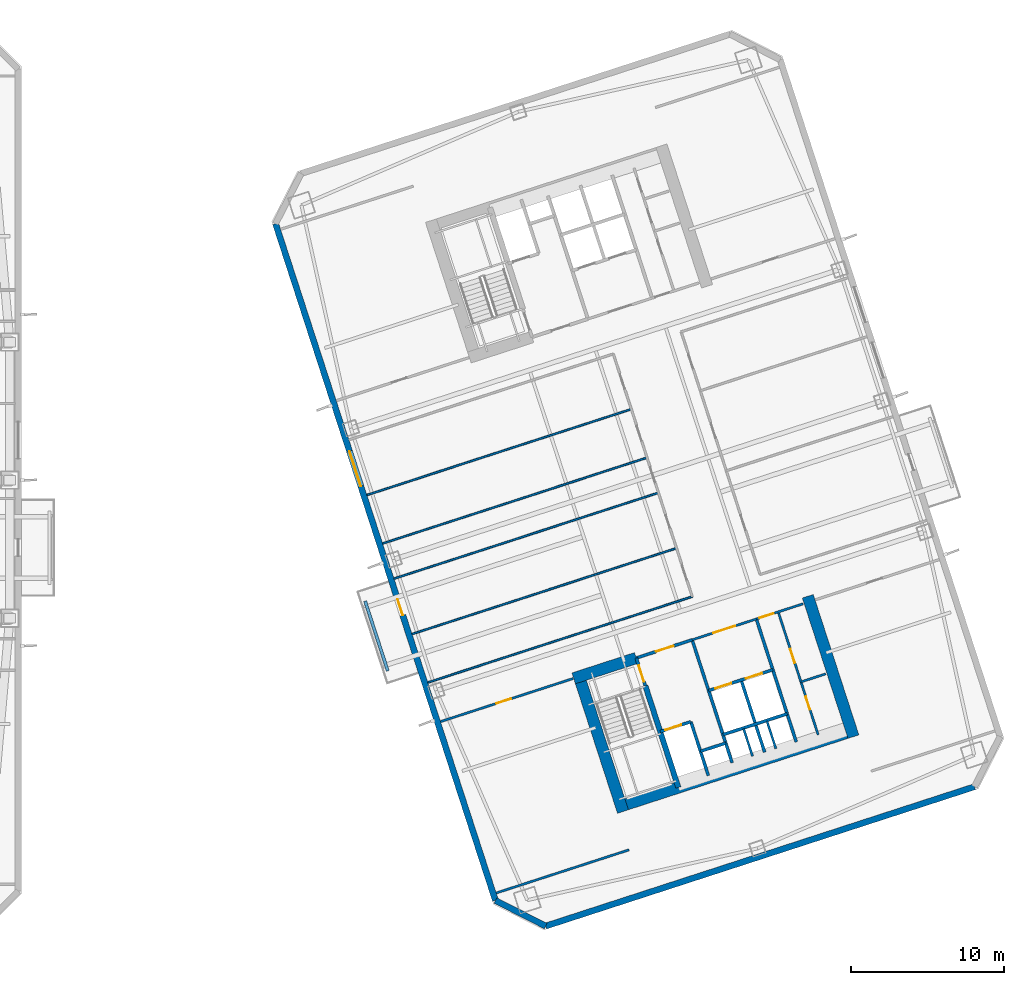
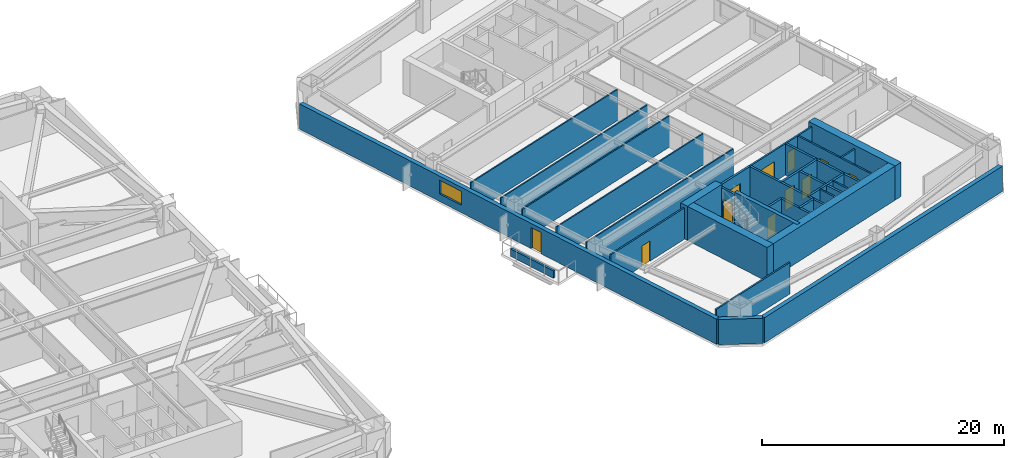
# One storey, part 9 of 19: 32 walls, 11 doors, 1 window, 12 openings.
"""IFC4 building model written with IfcOpenShell, lengths in metres."""

from ifc_helpers import new_model, si_unit, direction, frame, frame_2d, origin, place, context, subcontext, project, spatial, rectangle, extrude, material, layer, layer_set, type_object, element, fill, save


model = new_model("IFC4")

# Units and contexts
model_context = context("Model", 3, precision=1e-05, world=origin(), true_north=direction((0.0, 1.0)))
body_context = subcontext(model_context, "Body", "Model", "MODEL_VIEW")
ifc_project = project(units=[si_unit("LENGTHUNIT", "METRE"), si_unit("AREAUNIT", "SQUARE_METRE"), si_unit("VOLUMEUNIT", "CUBIC_METRE"), si_unit("PLANEANGLEUNIT", "RADIAN"), si_unit("MASSUNIT", "GRAM", prefix="KILO")], contexts=[model_context])

# Site, building, storey
site_placement = place(None, origin())
site = spatial("IfcSite", under=ifc_project, at=site_placement, CompositionType="ELEMENT")
building_placement = place(site_placement, origin())
building = spatial("IfcBuilding", under=site, at=building_placement, Name="Qiaolan Cultural Towers", CompositionType="ELEMENT")
storey_placement = place(building_placement, frame((0.0, 0.0, 88.550048828125)))
storey = spatial("IfcBuildingStorey", under=building, at=storey_placement, Name="L22", CompositionType="ELEMENT", Elevation=88.550048828125)

# Walls
ifc_material_1 = material(Name="Concrete C50", Category="concrete")
ifc_layer_1 = layer(ifc_material_1, 0.35009765625)
ifc_layer_set_1 = layer_set([ifc_layer_1], Name="Concrete C50")
wall_type_1 = type_object("IfcWallType", Name="WL-CORE-350", PredefinedType="SHEAR", material=ifc_layer_set_1)
wall_1_placement = place(storey_placement, frame((90.486328125, 20.59423828125, 0.0), z_axis=(0.0, 0.0, 1.0), x_axis=(0.309020428229, -0.951055400562, 0.0)))
element("IfcWall", 1, at=wall_1_placement, inside=storey, type_object=wall_type_1, Name="L22 T2-CS Stair Core Dividing Web", PredefinedType="SHEAR", context=body_context, shape_type="SweptSolid", body=[
    extrude(rectangle(XDim=6.97998046875, YDim=0.35009765625, at=frame_2d((3.489990234375, 0.0))), origin(), (0.0, 0.0, 1.0), 3.449951171875),
])
ifc_material_2 = material(Name="Concrete C60", Category="concrete")
ifc_layer_2 = layer(ifc_material_2, 0.75)
ifc_layer_set_2 = layer_set([ifc_layer_2], Name="Concrete C60")
wall_type_2 = type_object("IfcWallType", Name="WL-CORE-750", PredefinedType="SHEAR", material=ifc_layer_set_2)
wall_2_placement = place(storey_placement, frame((88.55859375, 12.628662109375, 0.0), z_axis=(0.0, 0.0, 1.0), x_axis=(0.951056072937, 0.309018358888, 0.0)))
element("IfcWall", 2, at=wall_2_placement, inside=storey, type_object=wall_type_2, Name="L22 T2-CS Outer Core Shear Wall", PredefinedType="SHEAR", context=body_context, shape_type="SweptSolid", body=[
    extrude(rectangle(XDim=16.550048828125, YDim=0.75, at=frame_2d((8.27490234375, 0.0))), origin(), (0.0, 0.0, 1.0), 3.449951171875),
])
wall_3_placement = place(storey_placement, frame((86.05517578125, 21.54638671875, 0.0), z_axis=(0.0, 0.0, 1.0), x_axis=(0.309023585745, -0.951054374604, 0.0)))
element("IfcWall", 3, at=wall_3_placement, inside=storey, type_object=wall_type_2, Name="L22 T2-CS West Core Shear Wall", PredefinedType="SHEAR", context=body_context, shape_type="SweptSolid", body=[
    extrude(rectangle(XDim=9.6298828125, YDim=0.75, at=frame_2d((4.81494140625, 0.0))), origin(), (0.0, 0.0, 1.0), 3.449951171875),
])
wall_4_placement = place(storey_placement, frame((101.08203125, 26.428955078125, 0.0), z_axis=(0.0, 0.0, 1.0), x_axis=(0.309016134813, -0.951056795583, 0.0)))
element("IfcWall", 4, at=wall_4_placement, inside=storey, type_object=wall_type_2, Name="L22 T2-CS East Core Shear Wall", PredefinedType="SHEAR", context=body_context, shape_type="SweptSolid", body=[
    extrude(rectangle(XDim=9.630126953125, YDim=0.75, at=frame_2d((4.81494140625, 0.0))), origin(), (0.0, 0.0, 1.0), 3.449951171875),
])
wall_5_placement = place(storey_placement, frame((85.814453125, 21.073974609375, 0.0), z_axis=(0.0, 0.0, 1.0), x_axis=(0.95106580992, 0.308988390074, 0.0)))
element("IfcWall", 5, at=wall_5_placement, inside=storey, type_object=wall_type_2, Name="L22 T2-CS Stair Front Shear Wall", PredefinedType="SHEAR", context=body_context, shape_type="SweptSolid", body=[
    extrude(rectangle(XDim=4.295166015625, YDim=0.75, at=frame_2d((2.1474609375, 0.0))), origin(), (0.0, 0.0, 1.0), 3.449951171875),
])

# Wall, openings, door, window
ifc_material_3 = material(Name="Precast Concrete C50 Honed Stone Pier", Category="masonry")
ifc_layer_3 = layer(ifc_material_3, 0.39990234375)
ifc_layer_set_3 = layer_set([ifc_layer_3], Name="Precast Concrete C50 Honed Stone Pier")
wall_type_3 = type_object("IfcWallType", Name="WL-EXT-PIER-400", PredefinedType="SOLIDWALL", material=ifc_layer_set_3)
wall_6_placement = place(storey_placement, frame((80.7158203125, 6.589599609375, 0.0), z_axis=(0.0, 0.0, 1.0), x_axis=(-0.309017542002, 0.95105633836, 0.0)))
wall_6 = element("IfcWall", 6, at=wall_6_placement, inside=storey, type_object=wall_type_3, Name="L22 East Tower Precast Pier Facade Wall F1", PredefinedType="SOLIDWALL", context=body_context, shape_type="SweptSolid", body=[
    extrude(rectangle(XDim=46.39990234375, YDim=0.39990234375, at=frame_2d((23.199951171875, 0.0))), origin(), (0.0, 0.0, 1.0), 2.550048828125),
])
opening_1_placement = place(wall_6_placement, frame((28.39990234375, 0.0, 0.75)))
opening_1 = element("IfcOpeningElement", 7, at=opening_1_placement, cuts=wall_6, Name="Opening W-02", PredefinedType="OPENING", context=body_context, shape_type="SweptSolid", body=[
    extrude(rectangle(XDim=2.39990234375, YDim=1.39990234375, at=frame_2d((1.199951171875, 0.699951171875))), frame((0.0, 0.2099609375, 0.0), z_axis=(0.0, -1.0, 0.0), x_axis=(1.0, 0.0, 0.0)), (0.0, 0.0, 1.0), 0.419921875),
])
opening_2_placement = place(wall_6_placement, frame((19.550048828125, 0.0, 0.0)))
opening_2 = element("IfcOpeningElement", 8, at=opening_2_placement, cuts=wall_6, Name="Opening BD-01", PredefinedType="OPENING", context=body_context, shape_type="SweptSolid", body=[
    extrude(rectangle(XDim=1.10009765625, YDim=2.14990234375, at=frame_2d((0.550048828125, 1.074951171875))), frame((0.0, 0.2099609375, 0.0), z_axis=(0.0, -1.0, 0.0), x_axis=(1.0, 0.0, 0.0)), (0.0, 0.0, 1.0), 0.419921875),
])
ifc_material_4 = material(Name="Thermally Broken Aluminium Glazed Terrace Door", Category="aluminium")
door_type_1 = type_object("IfcDoorType", Name="DR-BAL-1100", OperationType="NOTDEFINED", PredefinedType="DOOR", material=ifc_material_4)
door_1_placement = place(opening_2_placement, origin())
door_1 = element("IfcDoor", 9, at=door_1_placement, inside=storey, type_object=door_type_1, Name="L22 T2 West Tree Balcony Door", OperationType="SINGLE_SWING_LEFT", OverallHeight=2.14990234375, OverallWidth=1.10009765625, PredefinedType="DOOR", context=body_context, shape_type="SweptSolid", body=[
    extrude(rectangle(XDim=1.10009765625, YDim=2.14990234375, at=frame_2d((0.550048828125, 1.074951171875))), frame((0.0, 0.02490234375, 0.0), z_axis=(0.0, -1.0, 0.0), x_axis=(1.0, 0.0, 0.0)), (0.0, 0.0, 1.0), 0.050048828125),
])
fill(opening_2, door_1)
ifc_material_5 = material(Name="Thermally Broken Aluminium Triple Low-E Glazing", Category="aluminium")
window_type = type_object("IfcWindowType", Name="WN-CHIC-2400", PartitioningType="SINGLE_PANEL", PredefinedType="WINDOW", material=ifc_material_5)
window_placement = place(opening_1_placement, origin())
window = element("IfcWindow", 10, at=window_placement, inside=storey, type_object=window_type, Name="L22 T2 W Chicago Bay Window 1", OverallHeight=1.39990234375, OverallWidth=2.39990234375, PartitioningType="TRIPLE_PANEL_VERTICAL", PredefinedType="WINDOW", context=body_context, shape_type="SweptSolid", body=[
    extrude(rectangle(XDim=2.39990234375, YDim=1.39990234375, at=frame_2d((1.199951171875, 0.699951171875))), frame((0.0, 0.030029296875, 0.0), z_axis=(0.0, -1.0, 0.0), x_axis=(1.0, 0.0, 0.0)), (0.0, 0.0, 1.0), 0.06005859375),
])
fill(opening_1, window)

# Walls
wall_7_placement = place(storey_placement, frame((111.953125, 14.00537109375, 0.0), z_axis=(0.0, 0.0, 1.0), x_axis=(-0.95105505922, -0.309021478754, 0.0)))
element("IfcWall", 11, at=wall_7_placement, inside=storey, type_object=wall_type_3, Name="L22 East Tower Precast Pier Facade Wall F7", PredefinedType="SOLIDWALL", context=body_context, shape_type="SweptSolid", body=[
    extrude(rectangle(XDim=29.39990234375, YDim=0.39990234375, at=frame_2d((14.699951171875, 0.0))), origin(), (0.0, 0.0, 1.0), 2.550048828125),
])
wall_8_placement = place(storey_placement, frame((83.9921875, 4.920166015625, 0.0), z_axis=(0.0, 0.0, 1.0), x_axis=(-0.891001999643, 0.45399937955, 0.0)))
element("IfcWall", 12, at=wall_8_placement, inside=storey, type_object=wall_type_3, Name="L22 East Tower Precast Pier Facade Wall F8", PredefinedType="SOLIDWALL", context=body_context, shape_type="SweptSolid", body=[
    extrude(rectangle(XDim=3.67724609375, YDim=0.39990234375, at=frame_2d((1.838623046875, 0.0))), origin(), (0.0, 0.0, 1.0), 2.550048828125),
])

# Wall, opening, door
ifc_material_6 = material(Name="Concrete C35 Fire Wall", Category="concrete")
ifc_layer_4 = layer(ifc_material_6, 0.199951171875)
ifc_layer_set_4 = layer_set([ifc_layer_4], Name="Concrete C35 Fire Wall")
wall_type_4 = type_object("IfcWallType", Name="WL-FIRE-200", PredefinedType="PARTITIONING", material=ifc_layer_set_4)
wall_9_placement = place(storey_placement, frame((89.8994140625, 22.401123046875, 0.0), z_axis=(0.0, 0.0, 1.0), x_axis=(0.308932062672, -0.951084108086, 0.0)))
wall_9 = element("IfcWall", 13, at=wall_9_placement, inside=storey, type_object=wall_type_4, Name="L22 T2-CS Smokeproof Stair Entry Wall", PredefinedType="PARTITIONING", context=body_context, shape_type="SweptSolid", body=[
    extrude(rectangle(XDim=1.89990234375, YDim=0.199951171875, at=frame_2d((0.949951171875, 0.0))), origin(), (0.0, 0.0, 1.0), 3.155029296875),
])
opening_3_placement = place(wall_9_placement, frame((0.52001953125, 0.0, 0.0)))
opening_3 = element("IfcOpeningElement", 14, at=opening_3_placement, cuts=wall_9, Name="Opening FD-04", PredefinedType="OPENING", context=body_context, shape_type="SweptSolid", body=[
    extrude(rectangle(XDim=1.10009765625, YDim=2.050048828125, at=frame_2d((0.550048828125, 1.02490234375))), frame((0.0, 0.10986328125, 0.0), z_axis=(0.0, -1.0, 0.0), x_axis=(1.0, 0.0, 0.0)), (0.0, 0.0, 1.0), 0.219970703125),
])
ifc_material_7 = material(Name="Galvanized Steel Command Fire Door", Category="steel")
door_type_2 = type_object("IfcDoorType", Name="DR-FD90-1100", OperationType="NOTDEFINED", PredefinedType="DOOR", material=ifc_material_7)
door_2_placement = place(opening_3_placement, origin())
door_2 = element("IfcDoor", 15, at=door_2_placement, inside=storey, type_object=door_type_2, Name="L22 ST-E1 Smokeproof Stair Fire Door", OperationType="SINGLE_SWING_LEFT", OverallHeight=2.050048828125, OverallWidth=1.10009765625, PredefinedType="DOOR", context=body_context, shape_type="SweptSolid", body=[
    extrude(rectangle(XDim=1.10009765625, YDim=2.050048828125, at=frame_2d((0.550048828125, 1.02490234375))), frame((0.0, 0.02490234375, 0.0), z_axis=(0.0, -1.0, 0.0), x_axis=(1.0, 0.0, 0.0)), (0.0, 0.0, 1.0), 0.050048828125),
])
fill(opening_3, door_2)

# Wall
wall_10_placement = place(storey_placement, frame((93.541748046875, 23.584716796875, 0.0), z_axis=(0.0, 0.0, 1.0), x_axis=(0.309042196757, -0.951048327176, 0.0)))
element("IfcWall", 16, at=wall_10_placement, inside=storey, type_object=wall_type_4, Name="L22 T2-CS Firefighting Zone Wall", PredefinedType="PARTITIONING", context=body_context, shape_type="SweptSolid", body=[
    extrude(rectangle(XDim=8.429931640625, YDim=0.199951171875, at=frame_2d((4.21484375, 0.0))), origin(), (0.0, 0.0, 1.0), 3.155029296875),
])

# Wall, opening, door
wall_11_placement = place(storey_placement, frame((89.8994140625, 22.401123046875, 0.0), z_axis=(0.0, 0.0, 1.0), x_axis=(0.951046716504, 0.309047153403, 0.0)))
wall_11 = element("IfcWall", 17, at=wall_11_placement, inside=storey, type_object=wall_type_4, Name="L22 T2-CS Firefighting Lobby Front Wall", PredefinedType="PARTITIONING", context=body_context, shape_type="SweptSolid", body=[
    extrude(rectangle(XDim=3.829833984375, YDim=0.199951171875, at=frame_2d((1.9150390625, 0.0))), origin(), (0.0, 0.0, 1.0), 3.155029296875),
])
opening_4_placement = place(wall_11_placement, frame((1.35009765625, 0.0, 0.0)))
opening_4 = element("IfcOpeningElement", 18, at=opening_4_placement, cuts=wall_11, Name="Opening FD-03", PredefinedType="OPENING", context=body_context, shape_type="SweptSolid", body=[
    extrude(rectangle(XDim=1.199951171875, YDim=2.050048828125, at=frame_2d((0.60009765625, 1.02490234375))), frame((0.0, 0.10986328125, 0.0), z_axis=(0.0, -1.0, 0.0), x_axis=(1.0, 0.0, 0.0)), (0.0, 0.0, 1.0), 0.219970703125),
])
ifc_material_8 = material(Name="Galvanized Steel Smokeproof Lobby Fire Door", Category="steel")
door_type_3 = type_object("IfcDoorType", Name="DR-FD90-1200", OperationType="NOTDEFINED", PredefinedType="DOOR", material=ifc_material_8)
door_3_placement = place(opening_4_placement, origin())
door_3 = element("IfcDoor", 19, at=door_3_placement, inside=storey, type_object=door_type_3, Name="L22 FFL-E1 Firefighting Lobby Fire Door", OperationType="SINGLE_SWING_LEFT", OverallHeight=2.050048828125, OverallWidth=1.199951171875, PredefinedType="DOOR", context=body_context, shape_type="SweptSolid", body=[
    extrude(rectangle(XDim=1.199951171875, YDim=2.050048828125, at=frame_2d((0.60009765625, 1.02490234375))), frame((0.0, 0.02490234375, 0.0), z_axis=(0.0, -1.0, 0.0), x_axis=(1.0, 0.0, 0.0)), (0.0, 0.0, 1.0), 0.050048828125),
])
fill(opening_4, door_3)

wall_12_placement = place(storey_placement, frame((91.459716796875, 17.598388671875, 0.0), z_axis=(0.0, 0.0, 1.0), x_axis=(0.951062257173, 0.308999325213, 0.0)))
wall_12 = element("IfcWall", 20, at=wall_12_placement, inside=storey, type_object=wall_type_4, Name="L22 T2-CS Firefighting Shaft Front Wall", PredefinedType="PARTITIONING", context=body_context, shape_type="SweptSolid", body=[
    extrude(rectangle(XDim=2.10009765625, YDim=0.199951171875, at=frame_2d((1.050048828125, 0.0))), origin(), (0.0, 0.0, 1.0), 3.155029296875),
])
opening_5_placement = place(wall_12_placement, frame((0.35009765625, 0.0, 0.0)))
opening_5 = element("IfcOpeningElement", 21, at=opening_5_placement, cuts=wall_12, Name="Opening LD-01", PredefinedType="OPENING", context=body_context, shape_type="SweptSolid", body=[
    extrude(rectangle(XDim=1.10009765625, YDim=2.050048828125, at=frame_2d((0.550048828125, 1.02490234375))), frame((0.0, 0.10986328125, 0.0), z_axis=(0.0, -1.0, 0.0), x_axis=(1.0, 0.0, 0.0)), (0.0, 0.0, 1.0), 0.219970703125),
])
ifc_material_9 = material(Name="Brushed Stainless Steel S30408 Centre-Parting Lift Landing Door", Category="steel")
door_type_4 = type_object("IfcDoorType", Name="DR-LIFT-1100", OperationType="NOTDEFINED", PredefinedType="DOOR", material=ifc_material_9)
door_4_placement = place(opening_5_placement, origin())
door_4 = element("IfcDoor", 22, at=door_4_placement, inside=storey, type_object=door_type_4, Name="L22 FFL-E1 Firefighting Lift Landing Door", OperationType="DOUBLE_DOOR_SLIDING", OverallHeight=2.050048828125, OverallWidth=1.10009765625, PredefinedType="DOOR", context=body_context, shape_type="SweptSolid", body=[
    extrude(rectangle(XDim=1.10009765625, YDim=2.050048828125, at=frame_2d((0.550048828125, 1.02490234375))), frame((0.0, 0.02490234375, 0.0), z_axis=(0.0, -1.0, 0.0), x_axis=(1.0, 0.0, 0.0)), (0.0, 0.0, 1.0), 0.050048828125),
])
fill(opening_5, door_4)

# Walls
wall_13_placement = place(storey_placement, frame((93.45703125, 18.247314453125, 0.0), z_axis=(0.0, 0.0, 1.0), x_axis=(0.3089935693, -0.951064127245, 0.0)))
element("IfcWall", 23, at=wall_13_placement, inside=storey, type_object=wall_type_4, Name="L22 T2-CS Firefighting Hoistway East Wall", PredefinedType="PARTITIONING", context=body_context, shape_type="SweptSolid", body=[
    extrude(rectangle(XDim=3.7001953125, YDim=0.199951171875, at=frame_2d((1.85009765625, 0.0))), origin(), (0.0, 0.0, 1.0), 3.155029296875),
])
wall_14_placement = place(storey_placement, frame((94.08447265625, 16.316650390625, 0.0), z_axis=(0.0, 0.0, 1.0), x_axis=(0.951041328149, 0.309063734775, 0.0)))
element("IfcWall", 24, at=wall_14_placement, inside=storey, type_object=wall_type_4, Name="L22 T2-CS Pressurization Shaft Front Wall", PredefinedType="PARTITIONING", context=body_context, shape_type="SweptSolid", body=[
    extrude(rectangle(XDim=1.72998046875, YDim=0.199951171875, at=frame_2d((0.864990234375, 0.0))), origin(), (0.0, 0.0, 1.0), 3.155029296875),
])
wall_15_placement = place(storey_placement, frame((97.7265625, 24.9443359375, 0.0), z_axis=(0.0, 0.0, 1.0), x_axis=(0.309016001439, -0.951056838919, 0.0)))
element("IfcWall", 25, at=wall_15_placement, inside=storey, type_object=wall_type_4, Name="L22 T2-CS Lift Core East Wall", PredefinedType="PARTITIONING", context=body_context, shape_type="SweptSolid", body=[
    extrude(rectangle(XDim=8.429931640625, YDim=0.199951171875, at=frame_2d((4.21484375, 0.0))), origin(), (0.0, 0.0, 1.0), 3.155029296875),
])

# Wall, openings, doors
wall_16_placement = place(storey_placement, frame((94.6171875, 20.275146484375, 0.0), z_axis=(0.0, 0.0, 1.0), x_axis=(0.951058531764, 0.30901079133, 0.0)))
wall_16 = element("IfcWall", 26, at=wall_16_placement, inside=storey, type_object=wall_type_4, Name="L22 T2-CS Passenger Lift Shaft Front Wall", PredefinedType="PARTITIONING", context=body_context, shape_type="SweptSolid", body=[
    extrude(rectangle(XDim=4.39990234375, YDim=0.199951171875, at=frame_2d((2.199951171875, 0.0))), origin(), (0.0, 0.0, 1.0), 3.155029296875),
])
opening_6_placement = place(wall_16_placement, frame((0.449951171875, 0.0, 0.0)))
opening_6 = element("IfcOpeningElement", 27, at=opening_6_placement, cuts=wall_16, Name="Opening LD-01", PredefinedType="OPENING", context=body_context, shape_type="SweptSolid", body=[
    extrude(rectangle(XDim=1.10009765625, YDim=2.050048828125, at=frame_2d((0.550048828125, 1.02490234375))), frame((0.0, 0.10986328125, 0.0), z_axis=(0.0, -1.0, 0.0), x_axis=(1.0, 0.0, 0.0)), (0.0, 0.0, 1.0), 0.219970703125),
])
opening_7_placement = place(wall_16_placement, frame((2.550048828125, 0.0, 0.0)))
opening_7 = element("IfcOpeningElement", 28, at=opening_7_placement, cuts=wall_16, Name="Opening LD-01", PredefinedType="OPENING", context=body_context, shape_type="SweptSolid", body=[
    extrude(rectangle(XDim=1.10009765625, YDim=2.050048828125, at=frame_2d((0.550048828125, 1.02490234375))), frame((0.0, 0.10986328125, 0.0), z_axis=(0.0, -1.0, 0.0), x_axis=(1.0, 0.0, 0.0)), (0.0, 0.0, 1.0), 0.219970703125),
])
door_5_placement = place(opening_6_placement, origin())
door_5 = element("IfcDoor", 29, at=door_5_placement, inside=storey, type_object=door_type_4, Name="L22 Passenger Lift 1 Landing Door", OperationType="DOUBLE_DOOR_SLIDING", OverallHeight=2.050048828125, OverallWidth=1.10009765625, PredefinedType="DOOR", context=body_context, shape_type="SweptSolid", body=[
    extrude(rectangle(XDim=1.10009765625, YDim=2.050048828125, at=frame_2d((0.550048828125, 1.02490234375))), frame((0.0, 0.02490234375, 0.0), z_axis=(0.0, -1.0, 0.0), x_axis=(1.0, 0.0, 0.0)), (0.0, 0.0, 1.0), 0.050048828125),
])
fill(opening_6, door_5)
door_6_placement = place(opening_7_placement, origin())
door_6 = element("IfcDoor", 30, at=door_6_placement, inside=storey, type_object=door_type_4, Name="L22 Passenger Lift 2 Landing Door", OperationType="DOUBLE_DOOR_SLIDING", OverallHeight=2.050048828125, OverallWidth=1.10009765625, PredefinedType="DOOR", context=body_context, shape_type="SweptSolid", body=[
    extrude(rectangle(XDim=1.10009765625, YDim=2.050048828125, at=frame_2d((0.550048828125, 1.02490234375))), frame((0.0, 0.02490234375, 0.0), z_axis=(0.0, -1.0, 0.0), x_axis=(1.0, 0.0, 0.0)), (0.0, 0.0, 1.0), 0.050048828125),
])
fill(opening_7, door_6)

# Walls
wall_17_placement = place(storey_placement, frame((96.738037109375, 20.964111328125, 0.0), z_axis=(0.0, 0.0, 1.0), x_axis=(0.309042578481, -0.951048203135, 0.0)))
element("IfcWall", 31, at=wall_17_placement, inside=storey, type_object=wall_type_4, Name="L22 T2-CS Lift Shaft Divider Wall", PredefinedType="PARTITIONING", context=body_context, shape_type="SweptSolid", body=[
    extrude(rectangle(XDim=4.9501953125, YDim=0.199951171875, at=frame_2d((2.47509765625, 0.0))), origin(), (0.0, 0.0, 1.0), 3.155029296875),
])
wall_18_placement = place(storey_placement, frame((95.550537109375, 17.40283203125, 0.0), z_axis=(0.0, 0.0, 1.0), x_axis=(0.951058531764, 0.30901079133, 0.0)))
element("IfcWall", 32, at=wall_18_placement, inside=storey, type_object=wall_type_4, Name="L22 T2-CS Passenger Lift Shaft Back Wall", PredefinedType="PARTITIONING", context=body_context, shape_type="SweptSolid", body=[
    extrude(rectangle(XDim=4.39990234375, YDim=0.199951171875, at=frame_2d((2.199951171875, 0.0))), origin(), (0.0, 0.0, 1.0), 3.155029296875),
])
ifc_material_10 = material(Name="Gypsum Stud Acoustic Partition", Category="gypsum")
ifc_layer_5 = layer(ifc_material_10, 0.1201171875)
ifc_layer_set_5 = layer_set([ifc_layer_5], Name="Gypsum Stud Acoustic Partition")
wall_type_5 = type_object("IfcWallType", Name="WL-PART-120", PredefinedType="PARTITIONING", material=ifc_layer_set_5)
for number, where, z_axis, x_axis, name in (
    (33, (76.307861328125, 20.802978515625, 0.0), (0.0, 0.0, 1.0), (0.951054952586, 0.309021806935, 0.0), "L22 T2 South Corridor Left Wall"),
    (34, (75.281982421875, 23.96044921875, 0.0), (0.0, 0.0, 1.0), (0.951054952586, 0.309021806935, 0.0), "L22 T2 West Partition 1"),
    (35, (74.107666015625, 27.574462890625, 0.0), (0.0, 0.0, 1.0), (0.951054952586, 0.309021806935, 0.0), "L22 T2 West Partition 2"),
):
    element("IfcWall", number, at=place(storey_placement, frame(where, z_axis=z_axis, x_axis=x_axis)), inside=storey, type_object=wall_type_5, Name=name, PredefinedType="PARTITIONING", context=body_context, shape_type="SweptSolid", body=[
        extrude(rectangle(XDim=18.125244140625, YDim=0.1201171875, at=frame_2d((9.0625, 0.0))), origin(), (0.0, 0.0, 1.0), 3.155029296875),
    ])
wall_19_placement = place(storey_placement, frame((73.3642578125, 29.863037109375, 0.0), z_axis=(0.0, 0.0, 1.0), x_axis=(0.951057625014, 0.309013582067, 0.0)))
element("IfcWall", 36, at=wall_19_placement, inside=storey, type_object=wall_type_5, Name="L22 T2 West Partition 3", PredefinedType="PARTITIONING", context=body_context, shape_type="SweptSolid", body=[
    extrude(rectangle(XDim=18.124755859375, YDim=0.1201171875, at=frame_2d((9.0625, 0.0))), origin(), (0.0, 0.0, 1.0), 3.155029296875),
])
wall_20_placement = place(storey_placement, frame((72.335693359375, 33.028076171875, 0.0), z_axis=(0.0, 0.0, 1.0), x_axis=(0.951058911225, 0.309009623443, 0.0)))
element("IfcWall", 37, at=wall_20_placement, inside=storey, type_object=wall_type_5, Name="L22 T2 West Partition 4", PredefinedType="PARTITIONING", context=body_context, shape_type="SweptSolid", body=[
    extrude(rectangle(XDim=18.125, YDim=0.1201171875, at=frame_2d((9.0625, 0.0))), origin(), (0.0, 0.0, 1.0), 3.155029296875),
])

# Wall, opening, door
ifc_material_11 = material(Name="Autoclaved Aerated Concrete Block B06", Category="concrete")
ifc_layer_6 = layer(ifc_material_11, 0.14990234375)
ifc_layer_set_6 = layer_set([ifc_layer_6], Name="Autoclaved Aerated Concrete Block B06")
wall_type_6 = type_object("IfcWallType", Name="WL-PART-150", PredefinedType="PARTITIONING", material=ifc_layer_set_6)
wall_21_placement = place(storey_placement, frame((93.541748046875, 23.584716796875, 0.0), z_axis=(0.0, 0.0, 1.0), x_axis=(0.951063829732, 0.308994485023, 0.0)))
wall_21 = element("IfcWall", 38, at=wall_21_placement, inside=storey, type_object=wall_type_6, Name="L22 T2-CS Passenger Lift Lobby Front Wall", PredefinedType="PARTITIONING", context=body_context, shape_type="SweptSolid", body=[
    extrude(rectangle(XDim=4.400146484375, YDim=0.14990234375, at=frame_2d((2.2001953125, 0.0))), origin(), (0.0, 0.0, 1.0), 3.155029296875),
])
opening_8_placement = place(wall_21_placement, frame((1.449951171875, 0.0, 0.0)))
opening_8 = element("IfcOpeningElement", 39, at=opening_8_placement, cuts=wall_21, Name="Opening FD-05", PredefinedType="OPENING", context=body_context, shape_type="SweptSolid", body=[
    extrude(rectangle(XDim=1.5, YDim=2.050048828125, at=frame_2d((0.75, 1.02490234375))), frame((0.0, 0.0849609375, 0.0), z_axis=(0.0, -1.0, 0.0), x_axis=(1.0, 0.0, 0.0)), (0.0, 0.0, 1.0), 0.169921875),
])
ifc_material_12 = material(Name="Painted Steel Lift Lobby Fire Door", Category="steel")
door_type_5 = type_object("IfcDoorType", Name="DR-FD60-1500", OperationType="NOTDEFINED", PredefinedType="DOOR", material=ifc_material_12)
door_7_placement = place(opening_8_placement, origin())
door_7 = element("IfcDoor", 40, at=door_7_placement, inside=storey, type_object=door_type_5, Name="L22 Passenger Lift Lobby Entrance", OperationType="SINGLE_SWING_LEFT", OverallHeight=2.050048828125, OverallWidth=1.5, PredefinedType="DOOR", context=body_context, shape_type="SweptSolid", body=[
    extrude(rectangle(XDim=1.5, YDim=2.050048828125, at=frame_2d((0.75, 1.02490234375))), frame((0.0, 0.02490234375, 0.0), z_axis=(0.0, -1.0, 0.0), x_axis=(1.0, 0.0, 0.0)), (0.0, 0.0, 1.0), 0.050048828125),
])
fill(opening_8, door_7)

# Walls
wall_22_placement = place(storey_placement, frame((96.8974609375, 17.787841796875, 0.0), z_axis=(0.0, 0.0, 1.0), x_axis=(0.30897153969, -0.951071284217, 0.0)))
element("IfcWall", 41, at=wall_22_placement, inside=storey, type_object=wall_type_6, Name="L22 T2-CS Core Rear Split 1", PredefinedType="PARTITIONING", context=body_context, shape_type="SweptSolid", body=[
    extrude(rectangle(XDim=1.8798828125, YDim=0.14990234375, at=frame_2d((0.93994140625, 0.0))), origin(), (0.0, 0.0, 1.0), 3.155029296875),
])
wall_23_placement = place(storey_placement, frame((98.419189453125, 18.282470703125, 0.0), z_axis=(0.0, 0.0, 1.0), x_axis=(0.308933380006, -0.951083680187, 0.0)))
element("IfcWall", 42, at=wall_23_placement, inside=storey, type_object=wall_type_6, Name="L22 T2-CS Core Rear Split 2", PredefinedType="PARTITIONING", context=body_context, shape_type="SweptSolid", body=[
    extrude(rectangle(XDim=1.880126953125, YDim=0.14990234375, at=frame_2d((0.93994140625, 0.0))), origin(), (0.0, 0.0, 1.0), 3.155029296875),
])

# Wall, opening, door
wall_24_placement = place(storey_placement, frame((97.7265625, 24.9443359375, 0.0), z_axis=(0.0, 0.0, 1.0), x_axis=(0.951036872128, 0.309077446369, 0.0)))
wall_24 = element("IfcWall", 43, at=wall_24_placement, inside=storey, type_object=wall_type_6, Name="L22 T2-CS Sanitary Core Front Wall", PredefinedType="PARTITIONING", context=body_context, shape_type="SweptSolid", body=[
    extrude(rectangle(XDim=3.199951171875, YDim=0.14990234375, at=frame_2d((1.60009765625, 0.0))), origin(), (0.0, 0.0, 1.0), 3.155029296875),
])
opening_9_placement = place(wall_24_placement, frame((0.219970703125, 0.0, 0.0)))
opening_9 = element("IfcOpeningElement", 44, at=opening_9_placement, cuts=wall_24, Name="Opening ID-05", PredefinedType="OPENING", context=body_context, shape_type="SweptSolid", body=[
    extrude(rectangle(XDim=0.949951171875, YDim=2.050048828125, at=frame_2d((0.47509765625, 1.02490234375))), frame((0.0, 0.0849609375, 0.0), z_axis=(0.0, -1.0, 0.0), x_axis=(1.0, 0.0, 0.0)), (0.0, 0.0, 1.0), 0.169921875),
])
ifc_material_13 = material(Name="Fire-Rated Laminate Accessible Core Door", Category="timber")
door_type_6 = type_object("IfcDoorType", Name="DR-INT-950", OperationType="NOTDEFINED", PredefinedType="DOOR", material=ifc_material_13)
door_8_placement = place(opening_9_placement, origin())
door_8 = element("IfcDoor", 45, at=door_8_placement, inside=storey, type_object=door_type_6, Name="L22 Sanitary Lobby Door", OperationType="SINGLE_SWING_LEFT", OverallHeight=2.050048828125, OverallWidth=0.949951171875, PredefinedType="DOOR", context=body_context, shape_type="SweptSolid", body=[
    extrude(rectangle(XDim=0.949951171875, YDim=2.050048828125, at=frame_2d((0.47509765625, 1.02490234375))), frame((0.0, 0.02490234375, 0.0), z_axis=(0.0, -1.0, 0.0), x_axis=(1.0, 0.0, 0.0)), (0.0, 0.0, 1.0), 0.050048828125),
])
fill(opening_9, door_8)

# Wall, openings, doors
wall_25_placement = place(storey_placement, frame((99.153076171875, 25.407958984375, 0.0), z_axis=(0.0, 0.0, 1.0), x_axis=(0.309016001439, -0.951056838919, 0.0)))
wall_25 = element("IfcWall", 46, at=wall_25_placement, inside=storey, type_object=wall_type_6, Name="L22 T2-CS Washroom Split Wall", PredefinedType="PARTITIONING", context=body_context, shape_type="SweptSolid", body=[
    extrude(rectangle(XDim=8.429931640625, YDim=0.14990234375, at=frame_2d((4.21484375, 0.0))), origin(), (0.0, 0.0, 1.0), 3.155029296875),
])
opening_10_placement = place(wall_25_placement, frame((2.550048828125, 0.0, 0.0)))
opening_10 = element("IfcOpeningElement", 47, at=opening_10_placement, cuts=wall_25, Name="Opening ID-05", PredefinedType="OPENING", context=body_context, shape_type="SweptSolid", body=[
    extrude(rectangle(XDim=0.949951171875, YDim=2.050048828125, at=frame_2d((0.47509765625, 1.02490234375))), frame((0.0, 0.0849609375, 0.0), z_axis=(0.0, -1.0, 0.0), x_axis=(1.0, 0.0, 0.0)), (0.0, 0.0, 1.0), 0.169921875),
])
opening_11_placement = place(wall_25_placement, frame((5.800048828125, 0.0, 0.0)))
opening_11 = element("IfcOpeningElement", 48, at=opening_11_placement, cuts=wall_25, Name="Opening ID-06", PredefinedType="OPENING", context=body_context, shape_type="SweptSolid", body=[
    extrude(rectangle(XDim=0.89990234375, YDim=2.050048828125, at=frame_2d((0.449951171875, 1.02490234375))), frame((0.0, 0.0849609375, 0.0), z_axis=(0.0, -1.0, 0.0), x_axis=(1.0, 0.0, 0.0)), (0.0, 0.0, 1.0), 0.169921875),
])
ifc_material_14 = material(Name="Fire-Rated Laminate Core Service Door", Category="timber")
door_type_7 = type_object("IfcDoorType", Name="DR-INT-900", OperationType="NOTDEFINED", PredefinedType="DOOR", material=ifc_material_14)
door_9_placement = place(opening_11_placement, origin())
door_9 = element("IfcDoor", 49, at=door_9_placement, inside=storey, type_object=door_type_7, Name="L22 First-Aid Room Door", OperationType="SINGLE_SWING_RIGHT", OverallHeight=2.050048828125, OverallWidth=0.89990234375, PredefinedType="DOOR", context=body_context, shape_type="SweptSolid", body=[
    extrude(rectangle(XDim=0.89990234375, YDim=2.050048828125, at=frame_2d((0.449951171875, 1.02490234375))), frame((0.0, 0.02490234375, 0.0), z_axis=(0.0, -1.0, 0.0), x_axis=(1.0, 0.0, 0.0)), (0.0, 0.0, 1.0), 0.050048828125),
])
fill(opening_11, door_9)
door_10_placement = place(opening_10_placement, origin())
door_10 = element("IfcDoor", 50, at=door_10_placement, inside=storey, type_object=door_type_6, Name="L22 Accessible Washroom Door", OperationType="SINGLE_SWING_LEFT", OverallHeight=2.050048828125, OverallWidth=0.949951171875, PredefinedType="DOOR", context=body_context, shape_type="SweptSolid", body=[
    extrude(rectangle(XDim=0.949951171875, YDim=2.050048828125, at=frame_2d((0.47509765625, 1.02490234375))), frame((0.0, 0.02490234375, 0.0), z_axis=(0.0, -1.0, 0.0), x_axis=(1.0, 0.0, 0.0)), (0.0, 0.0, 1.0), 0.050048828125),
])
fill(opening_10, door_10)

# Walls
wall_26_placement = place(storey_placement, frame((100.636474609375, 20.8427734375, 0.0), z_axis=(0.0, 0.0, 1.0), x_axis=(0.951040401051, 0.309066587596, 0.0)))
element("IfcWall", 51, at=wall_26_placement, inside=storey, type_object=wall_type_6, Name="L22 T2-CS First-Aid Wall", PredefinedType="PARTITIONING", context=body_context, shape_type="SweptSolid", body=[
    extrude(rectangle(XDim=1.699951171875, YDim=0.14990234375, at=frame_2d((0.85009765625, 0.0))), origin(), (0.0, 0.0, 1.0), 3.155029296875),
])
wall_27_placement = place(storey_placement, frame((80.76708984375, 7.079345703125, 0.0), z_axis=(0.0, 0.0, 1.0), x_axis=(0.951057133767, 0.309015093986, 0.0)))
element("IfcWall", 52, at=wall_27_placement, inside=storey, type_object=wall_type_6, Name="L22 T2 Flank Wall FLK-SW", PredefinedType="PARTITIONING", context=body_context, shape_type="SweptSolid", body=[
    extrude(rectangle(XDim=9.099853515625, YDim=0.14990234375, at=frame_2d((4.5498046875, 0.0))), origin(), (0.0, 0.0, 1.0), 3.155029296875),
])

# Wall, opening, door
wall_28_placement = place(storey_placement, frame((77.13623046875, 18.254150390625, 0.0), z_axis=(0.0, 0.0, 1.0), x_axis=(0.951057133767, 0.309015093986, 0.0)))
wall_28 = element("IfcWall", 53, at=wall_28_placement, inside=storey, type_object=wall_type_6, Name="L22 T2 Flank Front FLK-SW", PredefinedType="PARTITIONING", context=body_context, shape_type="SweptSolid", body=[
    extrude(rectangle(XDim=9.099853515625, YDim=0.14990234375, at=frame_2d((4.5498046875, 0.0))), origin(), (0.0, 0.0, 1.0), 3.155029296875),
])
opening_12_placement = place(wall_28_placement, frame((3.822021484375, 0.0, 0.0)))
opening_12 = element("IfcOpeningElement", 54, at=opening_12_placement, cuts=wall_28, Name="Opening ID-04", PredefinedType="OPENING", context=body_context, shape_type="SweptSolid", body=[
    extrude(rectangle(XDim=1.0, YDim=2.050048828125, at=frame_2d((0.5, 1.02490234375))), frame((0.0, 0.0849609375, 0.0), z_axis=(0.0, -1.0, 0.0), x_axis=(1.0, 0.0, 0.0)), (0.0, 0.0, 1.0), 0.169921875),
])
ifc_material_15 = material(Name="Oak Veneer Acoustic Office Door", Category="timber")
door_type_8 = type_object("IfcDoorType", Name="DR-INT-1000", OperationType="NOTDEFINED", PredefinedType="DOOR", material=ifc_material_15)
door_11_placement = place(opening_12_placement, origin())
door_11 = element("IfcDoor", 55, at=door_11_placement, inside=storey, type_object=door_type_8, Name="L22 T2 Corner Studio Door", OperationType="SINGLE_SWING_LEFT", OverallHeight=2.050048828125, OverallWidth=1.0, PredefinedType="DOOR", context=body_context, shape_type="SweptSolid", body=[
    extrude(rectangle(XDim=1.0, YDim=2.050048828125, at=frame_2d((0.5, 1.02490234375))), frame((0.0, 0.02490234375, 0.0), z_axis=(0.0, -1.0, 0.0), x_axis=(1.0, 0.0, 0.0)), (0.0, 0.0, 1.0), 0.050048828125),
])
fill(opening_12, door_11)

# Wall
ifc_material_16 = material(Name="Precast Concrete C45 Tree Planter Upstand", Category="concrete")
ifc_layer_7 = layer(ifc_material_16, 0.199951171875)
ifc_layer_set_7 = layer_set([ifc_layer_7], Name="Precast Concrete C45 Tree Planter Upstand")
wall_type_7 = type_object("IfcWallType", Name="WL-PLANTER-200", PredefinedType="PARAPET", material=ifc_layer_set_7)
wall_29_placement = place(storey_placement, frame((73.698486328125, 21.55322265625, 0.0), z_axis=(0.0, 0.0, 1.0), x_axis=(-0.309032019345, 0.951051634255, 0.0)))
element("IfcWall", 56, at=wall_29_placement, inside=storey, type_object=wall_type_7, Name="L22 T2 Tree Balcony Soil Planter Box W", PredefinedType="PARAPET", context=body_context, shape_type="SweptSolid", body=[
    extrude(rectangle(XDim=4.800048828125, YDim=0.199951171875, at=frame_2d((2.39990234375, 0.0))), origin(), (0.0, 0.0, 1.0), 0.75),
])

save(model, "model.ifc")
